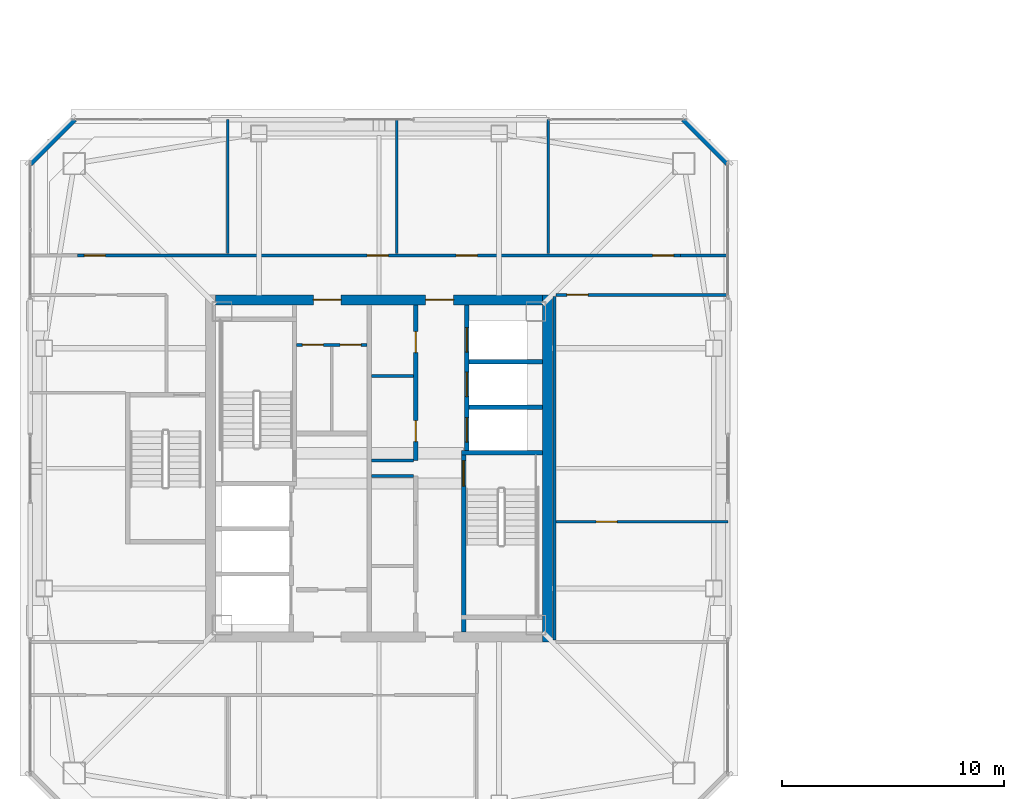
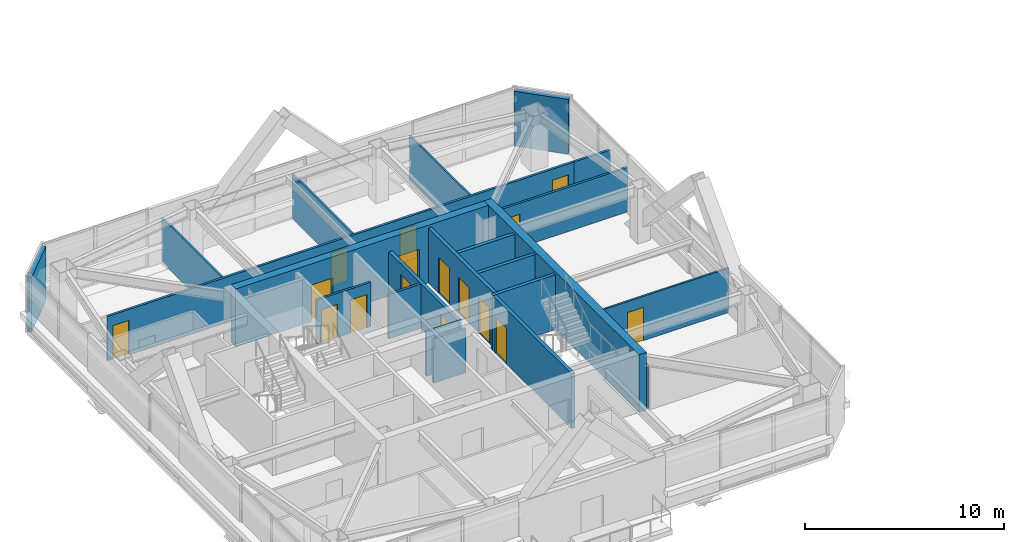
# One storey, part 31 of 39: 22 walls, 16 doors, 16 openings.
"""IFC4 building model written with IfcOpenShell, lengths in metres."""

from ifc_helpers import new_model, si_unit, direction, frame, frame_2d, origin, place, context, subcontext, project, spatial, rectangle, extrude, material, layer, layer_set, type_object, element, fill, save


model = new_model("IFC4")

# Units and contexts
model_context = context("Model", 3, precision=1e-05, world=origin(), true_north=direction((0.0, 1.0)))
body_context = subcontext(model_context, "Body", "Model", "MODEL_VIEW")
ifc_project = project(units=[si_unit("LENGTHUNIT", "METRE"), si_unit("AREAUNIT", "SQUARE_METRE"), si_unit("VOLUMEUNIT", "CUBIC_METRE"), si_unit("PLANEANGLEUNIT", "RADIAN"), si_unit("MASSUNIT", "GRAM", prefix="KILO")], contexts=[model_context])

# Site, building, storey
site_placement = place(None, origin())
site = spatial("IfcSite", under=ifc_project, at=site_placement, CompositionType="ELEMENT")
building_placement = place(site_placement, origin())
building = spatial("IfcBuilding", under=site, at=building_placement, Name="Tashvorn Skyway Center", CompositionType="ELEMENT")
storey_placement = place(building_placement, frame((0.0, 0.0, 239.699951171875)))
storey = spatial("IfcBuildingStorey", under=building, at=storey_placement, Name="L65", CompositionType="ELEMENT", Elevation=239.699951171875)

# Wall
ifc_material_1 = material(Name="Concrete C50/60", Category="concrete")
ifc_layer_1 = layer(ifc_material_1, 0.449951171875)
ifc_layer_set_1 = layer_set([ifc_layer_1], Name="Concrete C50/60")
wall_type_1 = type_object("IfcWallType", Name="WALL-CORE-450", PredefinedType="SHEAR", material=ifc_layer_set_1)
wall_1_placement = place(storey_placement, frame((49.574951171875, 39.800048828125, 0.0), z_axis=(0.0, 0.0, 1.0), x_axis=(0.0, -1.0, 0.0)))
element("IfcWall", 1, at=wall_1_placement, inside=storey, type_object=wall_type_1, Name="Tower 1 L65 East Core Shear Wall", PredefinedType="SHEAR", context=body_context, shape_type="SweptSolid", body=[
    extrude(rectangle(XDim=15.60009765625, YDim=0.449951171875, at=frame_2d((7.800048828125, 0.0))), origin(), (0.0, 0.0, 1.0), 3.550048828125),
])

# Wall, openings, doors
wall_2_placement = place(storey_placement, frame((34.64990234375, 39.574951171875, 0.0), z_axis=(0.0, 0.0, 1.0), x_axis=(1.0, 0.0, 0.0)))
wall_2 = element("IfcWall", 2, at=wall_2_placement, inside=storey, type_object=wall_type_1, Name="Tower 1 L65 North Core Shear Wall", PredefinedType="SHEAR", context=body_context, shape_type="SweptSolid", body=[
    extrude(rectangle(XDim=14.7001953125, YDim=0.449951171875, at=frame_2d((7.35009765625, 0.0))), origin(), (0.0, 0.0, 1.0), 3.550048828125),
])
opening_1_placement = place(wall_2_placement, frame((4.39990234375, 0.0, 0.0)))
opening_1 = element("IfcOpeningElement", 3, at=opening_1_placement, cuts=wall_2, Name="Opening D-FFL-1250", PredefinedType="OPENING", context=body_context, shape_type="SweptSolid", body=[
    extrude(rectangle(XDim=1.25, YDim=2.25, at=frame_2d((0.625, 1.125))), frame((0.0, 0.23486328125, 0.0), z_axis=(0.0, -1.0, 0.0), x_axis=(1.0, 0.0, 0.0)), (0.0, 0.0, 1.0), 0.469970703125),
])
opening_2_placement = place(wall_2_placement, frame((9.449951171875, 0.0, 0.0)))
opening_2 = element("IfcOpeningElement", 4, at=opening_2_placement, cuts=wall_2, Name="Opening D-FFL-1250", PredefinedType="OPENING", context=body_context, shape_type="SweptSolid", body=[
    extrude(rectangle(XDim=1.25, YDim=2.25, at=frame_2d((0.625, 1.125))), frame((0.0, 0.23486328125, 0.0), z_axis=(0.0, -1.0, 0.0), x_axis=(1.0, 0.0, 0.0)), (0.0, 0.0, 1.0), 0.469970703125),
])
ifc_material_2 = material(Name="Hollow galvanized steel fire door assembly", Category="steel")
door_type_1 = type_object("IfcDoorType", Name="DOOR-FFL-1250", OperationType="NOTDEFINED", PredefinedType="DOOR", material=ifc_material_2)
door_1_placement = place(opening_1_placement, origin())
door_1 = element("IfcDoor", 5, at=door_1_placement, inside=storey, type_object=door_type_1, Name="Tower 1 L65 Core North Service Lobby Door", OperationType="SINGLE_SWING_LEFT", OverallHeight=2.25, OverallWidth=1.25, PredefinedType="DOOR", context=body_context, shape_type="SweptSolid", body=[
    extrude(rectangle(XDim=1.25, YDim=2.25, at=frame_2d((0.625, 1.125))), frame((0.0, 0.02490234375, 0.0), z_axis=(0.0, -1.0, 0.0), x_axis=(1.0, 0.0, 0.0)), (0.0, 0.0, 1.0), 0.050048828125),
])
fill(opening_1, door_1)
door_2_placement = place(opening_2_placement, origin())
door_2 = element("IfcDoor", 6, at=door_2_placement, inside=storey, type_object=door_type_1, Name="Tower 1 L65 Core North Lift Lobby Door", OperationType="SINGLE_SWING_RIGHT", OverallHeight=2.25, OverallWidth=1.25, PredefinedType="DOOR", context=body_context, shape_type="SweptSolid", body=[
    extrude(rectangle(XDim=1.25, YDim=2.25, at=frame_2d((0.625, 1.125))), frame((0.0, 0.02490234375, 0.0), z_axis=(0.0, -1.0, 0.0), x_axis=(1.0, 0.0, 0.0)), (0.0, 0.0, 1.0), 0.050048828125),
])
fill(opening_2, door_2)

# Walls
ifc_material_3 = material(Name="Precast concrete C40/50", Category="concrete")
ifc_layer_2 = layer(ifc_material_3, 0.280029296875)
ifc_layer_set_2 = layer_set([ifc_layer_2], Name="Precast concrete C40/50")
wall_type_2 = type_object("IfcWallType", Name="WALL-EXT-280", PredefinedType="SOLIDWALL", material=ifc_layer_set_2)
for number, where, z_axis, x_axis, name in (
    (7, (26.300048828125, 45.699951171875, 0.0), (0.0, 0.0, 1.0), (0.707106781187, 0.707106781187, 0.0), "Tower 1 L65 NW Precast Chamfer Wall"),
    (8, (55.699951171875, 47.699951171875, 0.0), (0.0, 0.0, 1.0), (0.707106781187, -0.707106781187, 0.0), "Tower 1 L65 NE Precast Chamfer Wall"),
):
    element("IfcWall", number, at=place(storey_placement, frame(where, z_axis=z_axis, x_axis=x_axis)), inside=storey, type_object=wall_type_2, Name=name, PredefinedType="SOLIDWALL", context=body_context, shape_type="SweptSolid", body=[
        extrude(rectangle(XDim=2.828369140625, YDim=0.280029296875, at=frame_2d((1.4140625, 0.0))), origin(), (0.0, 0.0, 1.0), 3.3701171875),
    ])
ifc_material_4 = material(Name="Gypsum board on cold-formed steel stud framing", Category="steel")
ifc_layer_3 = layer(ifc_material_4, 0.110107421875)
ifc_layer_set_3 = layer_set([ifc_layer_3], Name="Gypsum board on cold-formed steel stud framing")
wall_type_3 = type_object("IfcWallType", Name="WALL-PART-110", PredefinedType="PARTITIONING", material=ifc_layer_set_3)
for number, where, z_axis, x_axis, name in (
    (9, (35.199951171875, 41.64990234375, 0.0), (0.0, 0.0, 1.0), (0.0, 1.0, 0.0), "Tower 1 L65 North Suite Partition 1"),
    (10, (42.800048828125, 41.64990234375, 0.0), (0.0, 0.0, 1.0), (0.0, 1.0, 0.0), "Tower 1 L65 North Suite Partition 2"),
    (11, (49.60009765625, 41.64990234375, 0.0), (0.0, 0.0, 1.0), (0.0, 1.0, 0.0), "Tower 1 L65 North Suite Partition 3"),
):
    element("IfcWall", number, at=place(storey_placement, frame(where, z_axis=z_axis, x_axis=x_axis)), inside=storey, type_object=wall_type_3, Name=name, PredefinedType="PARTITIONING", context=body_context, shape_type="SweptSolid", body=[
        extrude(rectangle(XDim=6.030029296875, YDim=0.110107421875, at=frame_2d((3.01513671875, 0.0))), origin(), (0.0, 0.0, 1.0), 2.72314453125),
    ])

# Wall, opening, door
wall_3_placement = place(storey_placement, frame((49.9599609375, 29.60009765625, 0.0), z_axis=(0.0, 0.0, 1.0), x_axis=(1.0, 0.0, 0.0)))
wall_3 = element("IfcWall", 12, at=wall_3_placement, inside=storey, type_object=wall_type_3, Name="Tower 1 L65 East Mid Partition", PredefinedType="PARTITIONING", context=body_context, shape_type="SweptSolid", body=[
    extrude(rectangle(XDim=7.719970703125, YDim=0.110107421875, at=frame_2d((3.85986328125, 0.0))), origin(), (0.0, 0.0, 1.0), 2.72314453125),
])
opening_3_placement = place(wall_3_placement, frame((1.800048828125, 0.0, 0.0)))
opening_3 = element("IfcOpeningElement", 13, at=opening_3_placement, cuts=wall_3, Name="Opening D-INT-950", PredefinedType="OPENING", context=body_context, shape_type="SweptSolid", body=[
    extrude(rectangle(XDim=0.949951171875, YDim=2.050048828125, at=frame_2d((0.47509765625, 1.02490234375))), frame((0.0, 0.06494140625, 0.0), z_axis=(0.0, -1.0, 0.0), x_axis=(1.0, 0.0, 0.0)), (0.0, 0.0, 1.0), 0.130126953125),
])
ifc_material_5 = material(Name="Solid-core architectural oak veneer door")
door_type_2 = type_object("IfcDoorType", Name="DOOR-INT-950", OperationType="NOTDEFINED", PredefinedType="DOOR", material=ifc_material_5)
door_3_placement = place(opening_3_placement, origin())
door_3 = element("IfcDoor", 14, at=door_3_placement, inside=storey, type_object=door_type_2, Name="Tower 1 L65 Collaborative Studio Door", OperationType="SINGLE_SWING_RIGHT", OverallHeight=2.050048828125, OverallWidth=0.949951171875, PredefinedType="DOOR", context=body_context, shape_type="SweptSolid", body=[
    extrude(rectangle(XDim=0.949951171875, YDim=2.050048828125, at=frame_2d((0.47509765625, 1.02490234375))), frame((0.0, 0.02490234375, 0.0), z_axis=(0.0, -1.0, 0.0), x_axis=(1.0, 0.0, 0.0)), (0.0, 0.0, 1.0), 0.050048828125),
])
fill(opening_3, door_3)

# Wall, openings, doors
ifc_layer_4 = layer(ifc_material_4, 0.135009765625)
ifc_layer_set_4 = layer_set([ifc_layer_4], Name="Gypsum board on cold-formed steel stud framing")
wall_type_4 = type_object("IfcWallType", Name="WALL-PART-135", PredefinedType="PARTITIONING", material=ifc_layer_set_4)
wall_4_placement = place(storey_placement, frame((28.449951171875, 41.570068359375, 0.0), z_axis=(0.0, 0.0, 1.0), x_axis=(1.0, 0.0, 0.0)))
wall_4 = element("IfcWall", 15, at=wall_4_placement, inside=storey, type_object=wall_type_4, Name="Tower 1 L65 North Suite Wall", PredefinedType="PARTITIONING", context=body_context, shape_type="SweptSolid", body=[
    extrude(rectangle(XDim=27.10009765625, YDim=0.135009765625, at=frame_2d((13.550048828125, 0.0))), origin(), (0.0, 0.0, 1.0), 2.72314453125),
])
opening_4_placement = place(wall_4_placement, frame((0.300048828125, 0.0, 0.0)))
opening_4 = element("IfcOpeningElement", 16, at=opening_4_placement, cuts=wall_4, Name="Opening D-INT-950", PredefinedType="OPENING", context=body_context, shape_type="SweptSolid", body=[
    extrude(rectangle(XDim=0.949951171875, YDim=2.050048828125, at=frame_2d((0.47509765625, 1.02490234375))), frame((0.0, 0.077392578125, 0.0), z_axis=(0.0, -1.0, 0.0), x_axis=(1.0, 0.0, 0.0)), (0.0, 0.0, 1.0), 0.155029296875),
])
opening_5_placement = place(wall_4_placement, frame((13.02001953125, 0.0, 0.0)))
opening_5 = element("IfcOpeningElement", 17, at=opening_5_placement, cuts=wall_4, Name="Opening D-INT-950", PredefinedType="OPENING", context=body_context, shape_type="SweptSolid", body=[
    extrude(rectangle(XDim=0.949951171875, YDim=2.050048828125, at=frame_2d((0.47509765625, 1.02490234375))), frame((0.0, 0.077392578125, 0.0), z_axis=(0.0, -1.0, 0.0), x_axis=(1.0, 0.0, 0.0)), (0.0, 0.0, 1.0), 0.155029296875),
])
opening_6_placement = place(wall_4_placement, frame((17.0205078125, 0.0, 0.0)))
opening_6 = element("IfcOpeningElement", 18, at=opening_6_placement, cuts=wall_4, Name="Opening D-INT-950", PredefinedType="OPENING", context=body_context, shape_type="SweptSolid", body=[
    extrude(rectangle(XDim=0.949951171875, YDim=2.050048828125, at=frame_2d((0.47509765625, 1.02490234375))), frame((0.0, 0.077392578125, 0.0), z_axis=(0.0, -1.0, 0.0), x_axis=(1.0, 0.0, 0.0)), (0.0, 0.0, 1.0), 0.155029296875),
])
opening_7_placement = place(wall_4_placement, frame((25.85009765625, 0.0, 0.0)))
opening_7 = element("IfcOpeningElement", 19, at=opening_7_placement, cuts=wall_4, Name="Opening D-INT-950", PredefinedType="OPENING", context=body_context, shape_type="SweptSolid", body=[
    extrude(rectangle(XDim=0.949951171875, YDim=2.050048828125, at=frame_2d((0.47509765625, 1.02490234375))), frame((0.0, 0.077392578125, 0.0), z_axis=(0.0, -1.0, 0.0), x_axis=(1.0, 0.0, 0.0)), (0.0, 0.0, 1.0), 0.155029296875),
])
door_4_placement = place(opening_4_placement, origin())
door_4 = element("IfcDoor", 20, at=door_4_placement, inside=storey, type_object=door_type_2, Name="Tower 1 L65 Gallery Showroom Door", OperationType="SINGLE_SWING_RIGHT", OverallHeight=2.050048828125, OverallWidth=0.949951171875, PredefinedType="DOOR", context=body_context, shape_type="SweptSolid", body=[
    extrude(rectangle(XDim=0.949951171875, YDim=2.050048828125, at=frame_2d((0.47509765625, 1.02490234375))), frame((0.0, 0.02490234375, 0.0), z_axis=(0.0, -1.0, 0.0), x_axis=(1.0, 0.0, 0.0)), (0.0, 0.0, 1.0), 0.050048828125),
])
fill(opening_4, door_4)
door_5_placement = place(opening_5_placement, origin())
door_5 = element("IfcDoor", 21, at=door_5_placement, inside=storey, type_object=door_type_2, Name="Tower 1 L65 Gallery Showroom Door", OperationType="SINGLE_SWING_LEFT", OverallHeight=2.050048828125, OverallWidth=0.949951171875, PredefinedType="DOOR", context=body_context, shape_type="SweptSolid", body=[
    extrude(rectangle(XDim=0.949951171875, YDim=2.050048828125, at=frame_2d((0.47509765625, 1.02490234375))), frame((0.0, 0.02490234375, 0.0), z_axis=(0.0, -1.0, 0.0), x_axis=(1.0, 0.0, 0.0)), (0.0, 0.0, 1.0), 0.050048828125),
])
fill(opening_5, door_5)
door_6_placement = place(opening_6_placement, origin())
door_6 = element("IfcDoor", 22, at=door_6_placement, inside=storey, type_object=door_type_2, Name="Tower 1 L65 Corporate Office Door", OperationType="SINGLE_SWING_RIGHT", OverallHeight=2.050048828125, OverallWidth=0.949951171875, PredefinedType="DOOR", context=body_context, shape_type="SweptSolid", body=[
    extrude(rectangle(XDim=0.949951171875, YDim=2.050048828125, at=frame_2d((0.47509765625, 1.02490234375))), frame((0.0, 0.02490234375, 0.0), z_axis=(0.0, -1.0, 0.0), x_axis=(1.0, 0.0, 0.0)), (0.0, 0.0, 1.0), 0.050048828125),
])
fill(opening_6, door_6)
door_7_placement = place(opening_7_placement, origin())
door_7 = element("IfcDoor", 23, at=door_7_placement, inside=storey, type_object=door_type_2, Name="Tower 1 L65 Conference Room Door", OperationType="SINGLE_SWING_LEFT", OverallHeight=2.050048828125, OverallWidth=0.949951171875, PredefinedType="DOOR", context=body_context, shape_type="SweptSolid", body=[
    extrude(rectangle(XDim=0.949951171875, YDim=2.050048828125, at=frame_2d((0.47509765625, 1.02490234375))), frame((0.0, 0.02490234375, 0.0), z_axis=(0.0, -1.0, 0.0), x_axis=(1.0, 0.0, 0.0)), (0.0, 0.0, 1.0), 0.050048828125),
])
fill(opening_7, door_7)

# Walls
wall_5_placement = place(storey_placement, frame((55.550048828125, 41.570068359375, 0.0), z_axis=(0.0, 0.0, 1.0), x_axis=(1.0, 0.0, 0.0)))
element("IfcWall", 24, at=wall_5_placement, inside=storey, type_object=wall_type_4, Name="Tower 1 L65 North-East Suite South Wall", PredefinedType="PARTITIONING", context=body_context, shape_type="SweptSolid", body=[
    extrude(rectangle(XDim=2.1298828125, YDim=0.135009765625, at=frame_2d((1.06494140625, 0.0))), origin(), (0.0, 0.0, 1.0), 2.72314453125),
])
wall_6_placement = place(storey_placement, frame((49.8798828125, 39.719970703125, 0.0), z_axis=(0.0, 0.0, 1.0), x_axis=(0.0, -1.0, 0.0)))
element("IfcWall", 25, at=wall_6_placement, inside=storey, type_object=wall_type_4, Name="Tower 1 L65 East Inner Suite Wall", PredefinedType="PARTITIONING", context=body_context, shape_type="SweptSolid", body=[
    extrude(rectangle(XDim=15.43994140625, YDim=0.135009765625, at=frame_2d((7.719970703125, 0.0))), origin(), (0.0, 0.0, 1.0), 2.72314453125),
])

# Wall, opening, door
wall_7_placement = place(storey_placement, frame((57.679931640625, 39.800048828125, 0.0), z_axis=(0.0, 0.0, 1.0), x_axis=(-1.0, 0.0, 0.0)))
wall_7 = element("IfcWall", 26, at=wall_7_placement, inside=storey, type_object=wall_type_4, Name="Tower 1 L65 East Suite North Wall", PredefinedType="PARTITIONING", context=body_context, shape_type="SweptSolid", body=[
    extrude(rectangle(XDim=7.719970703125, YDim=0.135009765625, at=frame_2d((3.85986328125, 0.0))), origin(), (0.0, 0.0, 1.0), 2.72314453125),
])
opening_8_placement = place(wall_7_placement, frame((6.280029296875, 0.0, 0.0)))
opening_8 = element("IfcOpeningElement", 27, at=opening_8_placement, cuts=wall_7, Name="Opening D-INT-950", PredefinedType="OPENING", context=body_context, shape_type="SweptSolid", body=[
    extrude(rectangle(XDim=0.949951171875, YDim=2.050048828125, at=frame_2d((0.47509765625, 1.02490234375))), frame((0.0, 0.077392578125, 0.0), z_axis=(0.0, -1.0, 0.0), x_axis=(1.0, 0.0, 0.0)), (0.0, 0.0, 1.0), 0.155029296875),
])
door_8_placement = place(opening_8_placement, origin())
door_8 = element("IfcDoor", 28, at=door_8_placement, inside=storey, type_object=door_type_2, Name="Tower 1 L65 Conference Room Door", OperationType="SINGLE_SWING_LEFT", OverallHeight=2.050048828125, OverallWidth=0.949951171875, PredefinedType="DOOR", context=body_context, shape_type="SweptSolid", body=[
    extrude(rectangle(XDim=0.949951171875, YDim=2.050048828125, at=frame_2d((0.47509765625, 1.02490234375))), frame((0.0, 0.02490234375, 0.0), z_axis=(0.0, -1.0, 0.0), x_axis=(1.0, 0.0, 0.0)), (0.0, 0.0, 1.0), 0.050048828125),
])
fill(opening_8, door_8)

# Wall, openings, doors
ifc_layer_5 = layer(ifc_material_4, 0.135009765625)
ifc_layer_set_5 = layer_set([ifc_layer_5], Name="Gypsum board on cold-formed steel stud framing")
wall_type_5 = type_object("IfcWallType", Name="WALL-RATED-135", PredefinedType="PARTITIONING", material=ifc_layer_set_5)
wall_8_placement = place(storey_placement, frame((38.300048828125, 37.550048828125, 0.0), z_axis=(0.0, 0.0, 1.0), x_axis=(1.0, 0.0, 0.0)))
wall_8 = element("IfcWall", 29, at=wall_8_placement, inside=storey, type_object=wall_type_5, Name="Tower 1 L65 Core Service Lobby Wall", PredefinedType="PARTITIONING", context=body_context, shape_type="SweptSolid", body=[
    extrude(rectangle(XDim=3.14990234375, YDim=0.135009765625, at=frame_2d((1.574951171875, 0.0))), origin(), (0.0, 0.0, 1.0), 2.72314453125),
])
opening_9_placement = place(wall_8_placement, frame((0.25, 0.0, 0.0)))
opening_9 = element("IfcOpeningElement", 30, at=opening_9_placement, cuts=wall_8, Name="Opening D-RT-950", PredefinedType="OPENING", context=body_context, shape_type="SweptSolid", body=[
    extrude(rectangle(XDim=0.949951171875, YDim=2.050048828125, at=frame_2d((0.47509765625, 1.02490234375))), frame((0.0, 0.077392578125, 0.0), z_axis=(0.0, -1.0, 0.0), x_axis=(1.0, 0.0, 0.0)), (0.0, 0.0, 1.0), 0.155029296875),
])
opening_10_placement = place(wall_8_placement, frame((1.949951171875, 0.0, 0.0)))
opening_10 = element("IfcOpeningElement", 31, at=opening_10_placement, cuts=wall_8, Name="Opening D-RT-950", PredefinedType="OPENING", context=body_context, shape_type="SweptSolid", body=[
    extrude(rectangle(XDim=0.949951171875, YDim=2.050048828125, at=frame_2d((0.47509765625, 1.02490234375))), frame((0.0, 0.077392578125, 0.0), z_axis=(0.0, -1.0, 0.0), x_axis=(1.0, 0.0, 0.0)), (0.0, 0.0, 1.0), 0.155029296875),
])
door_type_3 = type_object("IfcDoorType", Name="DOOR-RATED-950", OperationType="NOTDEFINED", PredefinedType="DOOR", material=ifc_material_2)
door_9_placement = place(opening_9_placement, origin())
door_9 = element("IfcDoor", 32, at=door_9_placement, inside=storey, type_object=door_type_3, Name="Tower 1 L65 Core Accessible WC Door", OperationType="SINGLE_SWING_LEFT", OverallHeight=2.050048828125, OverallWidth=0.949951171875, PredefinedType="DOOR", context=body_context, shape_type="SweptSolid", body=[
    extrude(rectangle(XDim=0.949951171875, YDim=2.050048828125, at=frame_2d((0.47509765625, 1.02490234375))), frame((0.0, 0.02490234375, 0.0), z_axis=(0.0, -1.0, 0.0), x_axis=(1.0, 0.0, 0.0)), (0.0, 0.0, 1.0), 0.050048828125),
])
fill(opening_9, door_9)
door_10_placement = place(opening_10_placement, origin())
door_10 = element("IfcDoor", 33, at=door_10_placement, inside=storey, type_object=door_type_3, Name="Tower 1 L65 Core Cleaner Store Door", OperationType="SINGLE_SWING_RIGHT", OverallHeight=2.050048828125, OverallWidth=0.949951171875, PredefinedType="DOOR", context=body_context, shape_type="SweptSolid", body=[
    extrude(rectangle(XDim=0.949951171875, YDim=2.050048828125, at=frame_2d((0.47509765625, 1.02490234375))), frame((0.0, 0.02490234375, 0.0), z_axis=(0.0, -1.0, 0.0), x_axis=(1.0, 0.0, 0.0)), (0.0, 0.0, 1.0), 0.050048828125),
])
fill(opening_10, door_10)

# Walls
for number, where, z_axis, x_axis, name in (
    (34, (41.669921875, 31.64990234375, 0.0), (0.0, 0.0, 1.0), (1.0, 0.0, 0.0), "Tower 1 L65 Core Room Partition"),
    (35, (41.669921875, 32.35009765625, 0.0), (0.0, 0.0, 1.0), (1.0, 0.0, 0.0), "Tower 1 L65 Core Room Partition"),
    (36, (41.669921875, 36.14990234375, 0.0), (0.0, 0.0, 1.0), (1.0, 0.0, 0.0), "Tower 1 L65 Freed Mid-Rise Partition"),
):
    element("IfcWall", number, at=place(storey_placement, frame(where, z_axis=z_axis, x_axis=x_axis)), inside=storey, type_object=wall_type_5, Name=name, PredefinedType="PARTITIONING", context=body_context, shape_type="SweptSolid", body=[
        extrude(rectangle(XDim=1.880126953125, YDim=0.135009765625, at=frame_2d((0.93994140625, 0.0))), origin(), (0.0, 0.0, 1.0), 2.72314453125),
    ])
ifc_material_6 = material(Name="Concrete C40/50", Category="concrete")
ifc_layer_6 = layer(ifc_material_6, 0.199951171875)
ifc_layer_set_6 = layer_set([ifc_layer_6], Name="Concrete C40/50")
wall_type_6 = type_object("IfcWallType", Name="WALL-SHAFT-200", PredefinedType="SOLIDWALL", material=ifc_layer_set_6)
for number, where, z_axis, x_axis, name in (
    (37, (46.050048828125, 34.75, 0.0), (0.0, 0.0, 1.0), (1.0, 0.0, 0.0), "Tower 1 L65 High-Rise Shaft Divider"),
    (38, (46.050048828125, 36.800048828125, 0.0), (0.0, 0.0, 1.0), (1.0, 0.0, 0.0), "Tower 1 L65 High-Rise Shaft Divider"),
):
    element("IfcWall", number, at=place(storey_placement, frame(where, z_axis=z_axis, x_axis=x_axis)), inside=storey, type_object=wall_type_6, Name=name, PredefinedType="SOLIDWALL", context=body_context, shape_type="SweptSolid", body=[
        extrude(rectangle(XDim=3.300048828125, YDim=0.199951171875, at=frame_2d((1.64990234375, 0.0))), origin(), (0.0, 0.0, 1.0), 3.3701171875),
    ])

# Wall, openings, doors
wall_9_placement = place(storey_placement, frame((43.64990234375, 32.35009765625, 0.0), z_axis=(0.0, 0.0, 1.0), x_axis=(0.0, 1.0, 0.0)))
wall_9 = element("IfcWall", 39, at=wall_9_placement, inside=storey, type_object=wall_type_6, Name="Tower 1 L65 Mid-Rise Core Wall", PredefinedType="SOLIDWALL", context=body_context, shape_type="SweptSolid", body=[
    extrude(rectangle(XDim=7.0, YDim=0.199951171875, at=frame_2d((3.5, 0.0))), origin(), (0.0, 0.0, 1.0), 2.72314453125),
])
opening_11_placement = place(wall_9_placement, frame((0.85009765625, 0.0, 0.0)))
opening_11 = element("IfcOpeningElement", 40, at=opening_11_placement, cuts=wall_9, Name="Opening D-RT-950", PredefinedType="OPENING", context=body_context, shape_type="SweptSolid", body=[
    extrude(rectangle(XDim=0.949951171875, YDim=2.050048828125, at=frame_2d((0.47509765625, 1.02490234375))), frame((0.0, 0.10986328125, 0.0), z_axis=(0.0, -1.0, 0.0), x_axis=(1.0, 0.0, 0.0)), (0.0, 0.0, 1.0), 0.219970703125),
])
opening_12_placement = place(wall_9_placement, frame((4.85009765625, 0.0, 0.0)))
opening_12 = element("IfcOpeningElement", 41, at=opening_12_placement, cuts=wall_9, Name="Opening D-RT-950", PredefinedType="OPENING", context=body_context, shape_type="SweptSolid", body=[
    extrude(rectangle(XDim=0.949951171875, YDim=2.050048828125, at=frame_2d((0.47509765625, 1.02490234375))), frame((0.0, 0.10986328125, 0.0), z_axis=(0.0, -1.0, 0.0), x_axis=(1.0, 0.0, 0.0)), (0.0, 0.0, 1.0), 0.219970703125),
])
door_11_placement = place(opening_11_placement, origin())
door_11 = element("IfcDoor", 42, at=door_11_placement, inside=storey, type_object=door_type_3, Name="Tower 1 L65 Core IT Room Door", OperationType="SINGLE_SWING_RIGHT", OverallHeight=2.050048828125, OverallWidth=0.949951171875, PredefinedType="DOOR", context=body_context, shape_type="SweptSolid", body=[
    extrude(rectangle(XDim=0.949951171875, YDim=2.050048828125, at=frame_2d((0.47509765625, 1.02490234375))), frame((0.0, 0.02490234375, 0.0), z_axis=(0.0, -1.0, 0.0), x_axis=(1.0, 0.0, 0.0)), (0.0, 0.0, 1.0), 0.050048828125),
])
fill(opening_11, door_11)
door_12_placement = place(opening_12_placement, origin())
door_12 = element("IfcDoor", 43, at=door_12_placement, inside=storey, type_object=door_type_3, Name="Tower 1 L65 Core Catering Pantry Door", OperationType="SINGLE_SWING_LEFT", OverallHeight=2.050048828125, OverallWidth=0.949951171875, PredefinedType="DOOR", context=body_context, shape_type="SweptSolid", body=[
    extrude(rectangle(XDim=0.949951171875, YDim=2.050048828125, at=frame_2d((0.47509765625, 1.02490234375))), frame((0.0, 0.02490234375, 0.0), z_axis=(0.0, -1.0, 0.0), x_axis=(1.0, 0.0, 0.0)), (0.0, 0.0, 1.0), 0.050048828125),
])
fill(opening_12, door_12)

# Wall, opening, door
ifc_layer_7 = layer(ifc_material_6, 0.199951171875)
ifc_layer_set_7 = layer_set([ifc_layer_7], Name="Concrete C40/50")
wall_type_7 = type_object("IfcWallType", Name="WALL-STSHF-200", PredefinedType="SHEAR", material=ifc_layer_set_7)
wall_10_placement = place(storey_placement, frame((45.800048828125, 32.800048828125, 0.0), z_axis=(0.0, 0.0, 1.0), x_axis=(0.0, -1.0, 0.0)))
wall_10 = element("IfcWall", 44, at=wall_10_placement, inside=storey, type_object=wall_type_7, Name="Tower 1 L65 Stair 2 Enclosure Wall", PredefinedType="SHEAR", context=body_context, shape_type="SweptSolid", body=[
    extrude(rectangle(XDim=8.150146484375, YDim=0.199951171875, at=frame_2d((4.0751953125, 0.0))), origin(), (0.0, 0.0, 1.0), 3.3701171875),
])
opening_13_placement = place(wall_10_placement, frame((0.449951171875, 0.0, 0.0)))
opening_13 = element("IfcOpeningElement", 45, at=opening_13_placement, cuts=wall_10, Name="Opening D-ST-1150", PredefinedType="OPENING", context=body_context, shape_type="SweptSolid", body=[
    extrude(rectangle(XDim=1.14990234375, YDim=2.199951171875, at=frame_2d((0.574951171875, 1.10009765625))), frame((0.0, 0.10986328125, 0.0), z_axis=(0.0, -1.0, 0.0), x_axis=(1.0, 0.0, 0.0)), (0.0, 0.0, 1.0), 0.219970703125),
])
door_type_4 = type_object("IfcDoorType", Name="DOOR-STAIR-1150", OperationType="NOTDEFINED", PredefinedType="DOOR", material=ifc_material_2)
door_13_placement = place(opening_13_placement, origin())
door_13 = element("IfcDoor", 46, at=door_13_placement, inside=storey, type_object=door_type_4, Name="Tower 1 L65 Exit Stair 2 Door", OperationType="SINGLE_SWING_RIGHT", OverallHeight=2.199951171875, OverallWidth=1.14990234375, PredefinedType="DOOR", context=body_context, shape_type="SweptSolid", body=[
    extrude(rectangle(XDim=1.14990234375, YDim=2.199951171875, at=frame_2d((0.574951171875, 1.10009765625))), frame((0.0, 0.02490234375, 0.0), z_axis=(0.0, -1.0, 0.0), x_axis=(1.0, 0.0, 0.0)), (0.0, 0.0, 1.0), 0.050048828125),
])
fill(opening_13, door_13)

# Wall
wall_11_placement = place(storey_placement, frame((45.699951171875, 32.699951171875, 0.0), z_axis=(0.0, 0.0, 1.0), x_axis=(1.0, 0.0, 0.0)))
element("IfcWall", 47, at=wall_11_placement, inside=storey, type_object=wall_type_7, Name="Tower 1 L65 Stair 2 North Wall", PredefinedType="SHEAR", context=body_context, shape_type="SweptSolid", body=[
    extrude(rectangle(XDim=3.650146484375, YDim=0.199951171875, at=frame_2d((1.8251953125, 0.0))), origin(), (0.0, 0.0, 1.0), 3.3701171875),
])

# Wall, openings, doors
wall_12_placement = place(storey_placement, frame((45.949951171875, 39.35009765625, 0.0), z_axis=(0.0, 0.0, 1.0), x_axis=(0.0, -1.0, 0.0)))
wall_12 = element("IfcWall", 48, at=wall_12_placement, inside=storey, type_object=wall_type_7, Name="Tower 1 L65 High-Rise Lift Shaft Front Wall", PredefinedType="SHEAR", context=body_context, shape_type="SweptSolid", body=[
    extrude(rectangle(XDim=6.550048828125, YDim=0.199951171875, at=frame_2d((3.27490234375, 0.0))), origin(), (0.0, 0.0, 1.0), 3.3701171875),
])
opening_14_placement = place(wall_12_placement, frame((5.074951171875, 0.0, 0.0)))
opening_14 = element("IfcOpeningElement", 49, at=opening_14_placement, cuts=wall_12, Name="Opening LD-HR-T1-1-L65", PredefinedType="OPENING", context=body_context, shape_type="SweptSolid", body=[
    extrude(rectangle(XDim=1.10009765625, YDim=2.199951171875, at=frame_2d((0.550048828125, 1.10009765625))), frame((0.0, 0.10986328125, 0.0), z_axis=(0.0, -1.0, 0.0), x_axis=(1.0, 0.0, 0.0)), (0.0, 0.0, 1.0), 0.219970703125),
])
opening_15_placement = place(wall_12_placement, frame((3.02490234375, 0.0, 0.0)))
opening_15 = element("IfcOpeningElement", 50, at=opening_15_placement, cuts=wall_12, Name="Opening LD-HR-T1-2-L65", PredefinedType="OPENING", context=body_context, shape_type="SweptSolid", body=[
    extrude(rectangle(XDim=1.10009765625, YDim=2.199951171875, at=frame_2d((0.550048828125, 1.10009765625))), frame((0.0, 0.10986328125, 0.0), z_axis=(0.0, -1.0, 0.0), x_axis=(1.0, 0.0, 0.0)), (0.0, 0.0, 1.0), 0.219970703125),
])
opening_16_placement = place(wall_12_placement, frame((1.02490234375, 0.0, 0.0)))
opening_16 = element("IfcOpeningElement", 51, at=opening_16_placement, cuts=wall_12, Name="Opening LD-HR-T1-3-L65", PredefinedType="OPENING", context=body_context, shape_type="SweptSolid", body=[
    extrude(rectangle(XDim=1.10009765625, YDim=2.199951171875, at=frame_2d((0.550048828125, 1.10009765625))), frame((0.0, 0.10986328125, 0.0), z_axis=(0.0, -1.0, 0.0), x_axis=(1.0, 0.0, 0.0)), (0.0, 0.0, 1.0), 0.219970703125),
])
ifc_material_7 = material(Name="Stainless steel landing door", Category="steel")
door_type_5 = type_object("IfcDoorType", Name="DOOR-LIFT-1100", OperationType="SLIDING_TO_LEFT", PredefinedType="DOOR", material=ifc_material_7)
door_14_placement = place(opening_14_placement, origin())
door_14 = element("IfcDoor", 52, at=door_14_placement, inside=storey, type_object=door_type_5, Name="Lift HR-T1-1 L65 Landing Door", OperationType="SLIDING_TO_LEFT", OverallHeight=2.199951171875, OverallWidth=1.10009765625, PredefinedType="DOOR", context=body_context, shape_type="SweptSolid", body=[
    extrude(rectangle(XDim=1.10009765625, YDim=2.199951171875, at=frame_2d((0.550048828125, 1.10009765625))), frame((0.0, 0.02490234375, 0.0), z_axis=(0.0, -1.0, 0.0), x_axis=(1.0, 0.0, 0.0)), (0.0, 0.0, 1.0), 0.050048828125),
])
fill(opening_14, door_14)
door_15_placement = place(opening_15_placement, origin())
door_15 = element("IfcDoor", 53, at=door_15_placement, inside=storey, type_object=door_type_5, Name="Lift HR-T1-2 L65 Landing Door", OperationType="SLIDING_TO_LEFT", OverallHeight=2.199951171875, OverallWidth=1.10009765625, PredefinedType="DOOR", context=body_context, shape_type="SweptSolid", body=[
    extrude(rectangle(XDim=1.10009765625, YDim=2.199951171875, at=frame_2d((0.550048828125, 1.10009765625))), frame((0.0, 0.02490234375, 0.0), z_axis=(0.0, -1.0, 0.0), x_axis=(1.0, 0.0, 0.0)), (0.0, 0.0, 1.0), 0.050048828125),
])
fill(opening_15, door_15)
door_16_placement = place(opening_16_placement, origin())
door_16 = element("IfcDoor", 54, at=door_16_placement, inside=storey, type_object=door_type_5, Name="Lift HR-T1-3 L65 Landing Door", OperationType="SLIDING_TO_LEFT", OverallHeight=2.199951171875, OverallWidth=1.10009765625, PredefinedType="DOOR", context=body_context, shape_type="SweptSolid", body=[
    extrude(rectangle(XDim=1.10009765625, YDim=2.199951171875, at=frame_2d((0.550048828125, 1.10009765625))), frame((0.0, 0.02490234375, 0.0), z_axis=(0.0, -1.0, 0.0), x_axis=(1.0, 0.0, 0.0)), (0.0, 0.0, 1.0), 0.050048828125),
])
fill(opening_16, door_16)

save(model, "model.ifc")
